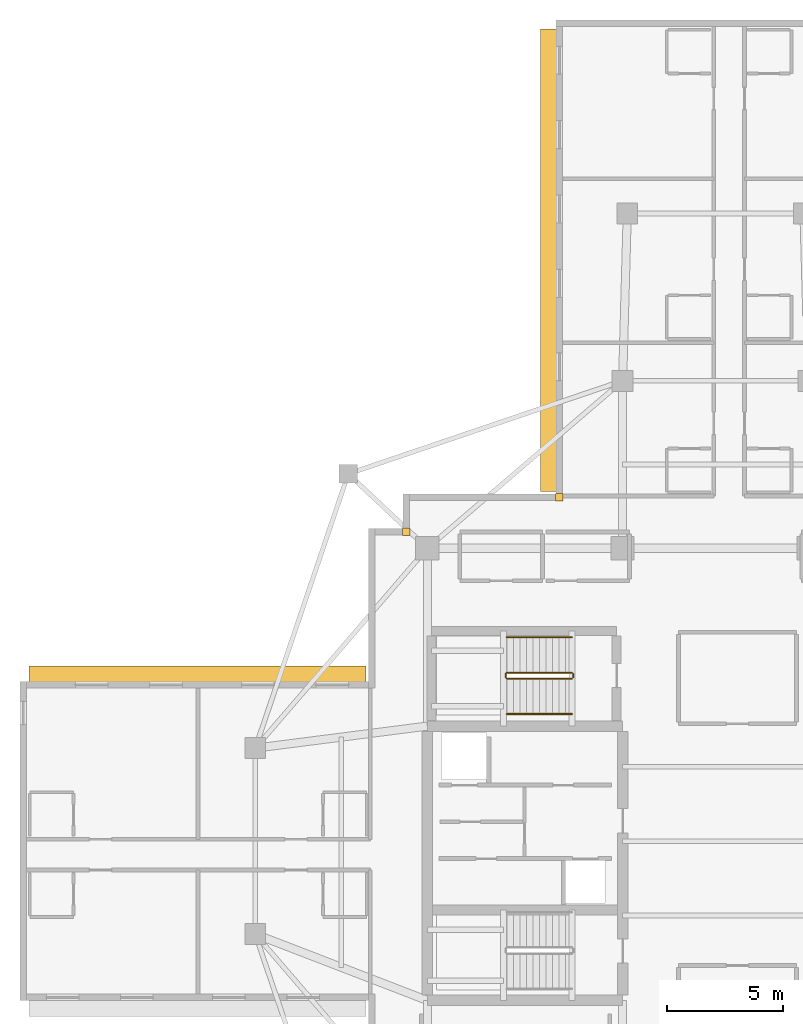
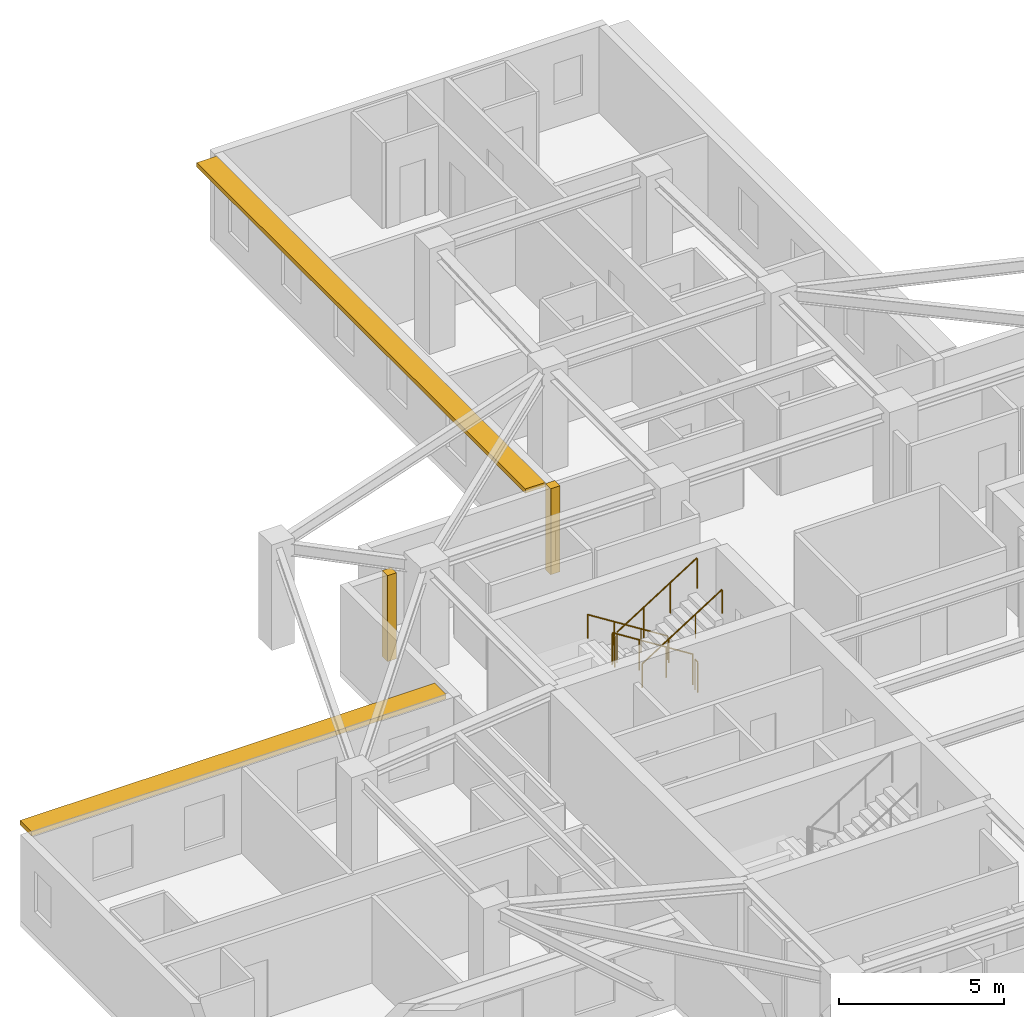
# One storey, part 12 of 13: 6 railings, 2 coverings, 2 shading devices.
"""IFC4 building model written with IfcOpenShell, lengths in metres."""

from ifc_helpers import new_model, si_unit, direction, frame, origin, origin_2d, place, context, subcontext, project, spatial, rectangle, circle, extrude, material, layer, layer_set, type_object, element, save


model = new_model("IFC4")

# Units and contexts
model_context = context("Model", 3, precision=1e-05, world=origin(), true_north=direction((0.0, 1.0)))
body_context = subcontext(model_context, "Body", "Model", "MODEL_VIEW")
ifc_project = project(units=[si_unit("LENGTHUNIT", "METRE"), si_unit("AREAUNIT", "SQUARE_METRE"), si_unit("VOLUMEUNIT", "CUBIC_METRE"), si_unit("PLANEANGLEUNIT", "RADIAN"), si_unit("MASSUNIT", "GRAM", prefix="KILO")], contexts=[model_context])

# Site, building, storey
site_placement = place(None, origin())
site = spatial("IfcSite", under=ifc_project, at=site_placement, CompositionType="ELEMENT")
building_placement = place(site_placement, origin())
building = spatial("IfcBuilding", under=site, at=building_placement, Name="Qingluan Cross Belvedere", CompositionType="ELEMENT")
storey_placement = place(building_placement, frame((0.0, 0.0, 224.699951171875)))
storey = spatial("IfcBuildingStorey", under=building, at=storey_placement, Name="L56", CompositionType="ELEMENT", Elevation=224.699951171875)

# Coverings
ifc_material_1 = material(Name="Precast concrete C45", Category="concrete")
ifc_layer_1 = layer(ifc_material_1, 0.1201171875, Name="ConcreteSpandrelCladding_120")
ifc_layer_set_1 = layer_set([ifc_layer_1], Name="Precast concrete C45")
covering_type = type_object("IfcCoveringType", Name="ConcreteSpandrelCladding_120", PredefinedType="CLADDING", material=ifc_layer_set_1)
for number, where, z_axis, x_axis, name in (
    (1, (-13.300048828125, 13.300048828125, 0.0), (0.0, 0.0, 1.0), (1.0, 0.0, 0.0), "Corner closure L56-NW1"),
    (2, (-6.719970703125, 14.800048828125, 0.0), (0.0, 0.0, 1.0), (1.0, 0.0, 0.0), "Corner closure L56-NW2"),
):
    element("IfcCovering", number, at=place(storey_placement, frame(where, z_axis=z_axis, x_axis=x_axis)), inside=storey, type_object=covering_type, Name=name, PredefinedType="CLADDING", context=body_context, shape_type="SweptSolid", body=[
        extrude(rectangle(XDim=0.320068359375, YDim=0.320068359375, at=origin_2d()), origin(), (0.0, 0.0, 1.0), 3.179931640625),
    ])

# Shading devices
ifc_material_2 = material(Name="Precast concrete C45", Category="concrete")
ifc_layer_2 = layer(ifc_material_2, 0.139892578125, Name="ConcreteSunshadeBand_700")
ifc_layer_set_2 = layer_set([ifc_layer_2], Name="Precast concrete C45")
shading_device_type = type_object("IfcShadingDeviceType", Name="ConcreteSunshadeBand_700", PredefinedType="USERDEFINED", material=ifc_layer_set_2)
shading_device_1_placement = place(storey_placement, frame((-7.18994140625, 24.989990234375, 3.0), z_axis=(0.0, 0.0, 1.0), x_axis=(0.0, -1.0, 0.0)))
element("IfcShadingDevice", 3, at=shading_device_1_placement, inside=storey, type_object=shading_device_type, Name="Concrete SUNSHADE L56-NB", ObjectType="SUNSHADE", PredefinedType="USERDEFINED", context=body_context, shape_type="SweptSolid", body=[
    extrude(rectangle(XDim=19.89990234375, YDim=0.699951171875, at=origin_2d()), origin(), (0.0, 0.0, 1.0), 0.159912109375),
])
shading_device_2_placement = place(storey_placement, frame((-22.2900390625, 7.18994140625, 3.0), z_axis=(0.0, 0.0, 1.0), x_axis=(-1.0, 0.0, 0.0)))
element("IfcShadingDevice", 4, at=shading_device_2_placement, inside=storey, type_object=shading_device_type, Name="Concrete SUNSHADE L56-WA", ObjectType="SUNSHADE", PredefinedType="USERDEFINED", context=body_context, shape_type="SweptSolid", body=[
    extrude(rectangle(XDim=14.5, YDim=0.699951171875, at=origin_2d()), origin(), (0.0, 0.0, 1.0), 0.159912109375),
])

# Railings
ifc_material_3 = material(Name="Brushed stainless steel tubular handrail", Category="steel")
railing_type_1 = type_object("IfcRailingType", Name="StairPitchHandrail_900", PredefinedType="HANDRAIL", material=ifc_material_3)
railing_1_placement = place(storey_placement, frame((-6.179931640625, 8.77001953125, 0.17724609375)))
element("IfcRailing", 5, at=railing_1_placement, inside=storey, type_object=railing_type_1, Name="L56 ST3 stair handrail 1", PredefinedType="HANDRAIL", context=body_context, shape_type="SweptSolid", body=[
    extrude(circle(Radius=0.02392578125, at=origin_2d()), frame((0.0, 0.0, 0.8759765625), z_axis=(-0.844908973607, 0.0, 0.534910110503), x_axis=(0.0, -1.0, 0.0)), (0.0, 0.0, 1.0), 3.31396484375),
    extrude(circle(Radius=0.02099609375, at=origin_2d()), origin(), (0.0, 0.0, 1.0), 0.851806640625),
    extrude(circle(Radius=0.02099609375, at=origin_2d()), frame((-0.933349609375, 0.0, 0.5908203125)), (0.0, 0.0, 1.0), 0.851806640625),
    extrude(circle(Radius=0.02099609375, at=origin_2d()), frame((-1.86669921875, 0.0, 1.181884765625)), (0.0, 0.0, 1.0), 0.851806640625),
    extrude(circle(Radius=0.02099609375, at=origin_2d()), frame((-2.800048828125, 0.0, 1.772705078125)), (0.0, 0.0, 1.0), 0.851806640625),
])
railing_2_placement = place(storey_placement, frame((-8.97998046875, 5.469970703125, 2.12744140625)))
element("IfcRailing", 6, at=railing_2_placement, inside=storey, type_object=railing_type_1, Name="L56 ST3 stair handrail 2", PredefinedType="HANDRAIL", context=body_context, shape_type="SweptSolid", body=[
    extrude(circle(Radius=0.02392578125, at=origin_2d()), frame((0.0, 0.0, 0.8759765625), z_axis=(0.844908973607, 0.0, 0.534910110503), x_axis=(0.0, 1.0, 0.0)), (0.0, 0.0, 1.0), 3.31396484375),
    extrude(circle(Radius=0.02099609375, at=origin_2d()), origin(), (0.0, 0.0, 1.0), 0.851806640625),
    extrude(circle(Radius=0.02099609375, at=origin_2d()), frame((0.933349609375, 0.0, 0.5908203125)), (0.0, 0.0, 1.0), 0.851806640625),
    extrude(circle(Radius=0.02099609375, at=origin_2d()), frame((1.86669921875, 0.0, 1.181884765625)), (0.0, 0.0, 1.0), 0.851806640625),
    extrude(circle(Radius=0.02099609375, at=origin_2d()), frame((2.800048828125, 0.0, 1.772705078125)), (0.0, 0.0, 1.0), 0.851806640625),
])
ifc_material_4 = material(Name="Painted steel stair well guard", Category="steel")
railing_type_2 = type_object("IfcRailingType", Name="StairWellGuard_1150", PredefinedType="BALUSTRADE", material=ifc_material_4)
railing_3_placement = place(storey_placement, frame((-6.179931640625, 7.25, 0.17724609375)))
element("IfcRailing", 7, at=railing_3_placement, inside=storey, type_object=railing_type_2, Name="L56 ST3 stair guard 1", PredefinedType="BALUSTRADE", context=body_context, shape_type="SweptSolid", body=[
    extrude(circle(Radius=0.02392578125, at=origin_2d()), frame((0.0, 0.0, 1.1259765625), z_axis=(-0.844908973607, 0.0, 0.534910110503), x_axis=(0.0, -1.0, 0.0)), (0.0, 0.0, 1.0), 3.31396484375),
    extrude(circle(Radius=0.02099609375, at=origin_2d()), origin(), (0.0, 0.0, 1.0), 1.101806640625),
    extrude(circle(Radius=0.02099609375, at=origin_2d()), frame((-0.933349609375, 0.0, 0.5908203125)), (0.0, 0.0, 1.0), 1.101806640625),
    extrude(circle(Radius=0.02099609375, at=origin_2d()), frame((-1.86669921875, 0.0, 1.181884765625)), (0.0, 0.0, 1.0), 1.101806640625),
    extrude(circle(Radius=0.02099609375, at=origin_2d()), frame((-2.800048828125, 0.0, 1.772705078125)), (0.0, 0.0, 1.0), 1.101806640625),
])
railing_4_placement = place(storey_placement, frame((-9.030029296875, 7.199951171875, 1.949951171875)))
element("IfcRailing", 8, at=railing_4_placement, inside=storey, type_object=railing_type_2, Name="L56 ST3 stair guard 2", PredefinedType="BALUSTRADE", context=body_context, shape_type="SweptSolid", body=[
    extrude(circle(Radius=0.02392578125, at=origin_2d()), frame((0.0, 0.0, 1.1259765625), z_axis=(0.0, -1.0, 0.0), x_axis=(1.0, 0.0, 0.0)), (0.0, 0.0, 1.0), 0.159912109375),
    extrude(circle(Radius=0.02099609375, at=origin_2d()), origin(), (0.0, 0.0, 1.0), 1.101806640625),
    extrude(circle(Radius=0.02099609375, at=origin_2d()), frame((0.0, -0.159912109375, 0.0)), (0.0, 0.0, 1.0), 1.101806640625),
])
railing_5_placement = place(storey_placement, frame((-8.97998046875, 6.989990234375, 2.12744140625)))
element("IfcRailing", 9, at=railing_5_placement, inside=storey, type_object=railing_type_2, Name="L56 ST3 stair guard 3", PredefinedType="BALUSTRADE", context=body_context, shape_type="SweptSolid", body=[
    extrude(circle(Radius=0.02392578125, at=origin_2d()), frame((0.0, 0.0, 1.1259765625), z_axis=(0.844908973607, 0.0, 0.534910110503), x_axis=(0.0, 1.0, 0.0)), (0.0, 0.0, 1.0), 3.31396484375),
    extrude(circle(Radius=0.02099609375, at=origin_2d()), origin(), (0.0, 0.0, 1.0), 1.101806640625),
    extrude(circle(Radius=0.02099609375, at=origin_2d()), frame((0.933349609375, 0.0, 0.5908203125)), (0.0, 0.0, 1.0), 1.101806640625),
    extrude(circle(Radius=0.02099609375, at=origin_2d()), frame((1.86669921875, 0.0, 1.181884765625)), (0.0, 0.0, 1.0), 1.101806640625),
    extrude(circle(Radius=0.02099609375, at=origin_2d()), frame((2.800048828125, 0.0, 1.772705078125)), (0.0, 0.0, 1.0), 1.101806640625),
])
railing_6_placement = place(storey_placement, frame((-6.1298828125, 7.199951171875, 0.0)))
element("IfcRailing", 10, at=railing_6_placement, inside=storey, type_object=railing_type_2, Name="L56 ST3 stair guard 4", PredefinedType="BALUSTRADE", context=body_context, shape_type="SweptSolid", body=[
    extrude(circle(Radius=0.02392578125, at=origin_2d()), frame((0.0, 0.0, 1.1259765625), z_axis=(0.0, -1.0, 0.0), x_axis=(1.0, 0.0, 0.0)), (0.0, 0.0, 1.0), 0.159912109375),
    extrude(circle(Radius=0.02099609375, at=origin_2d()), origin(), (0.0, 0.0, 1.0), 1.101806640625),
    extrude(circle(Radius=0.02099609375, at=origin_2d()), frame((0.0, -0.159912109375, 0.0)), (0.0, 0.0, 1.0), 1.101806640625),
])

save(model, "model.ifc")
